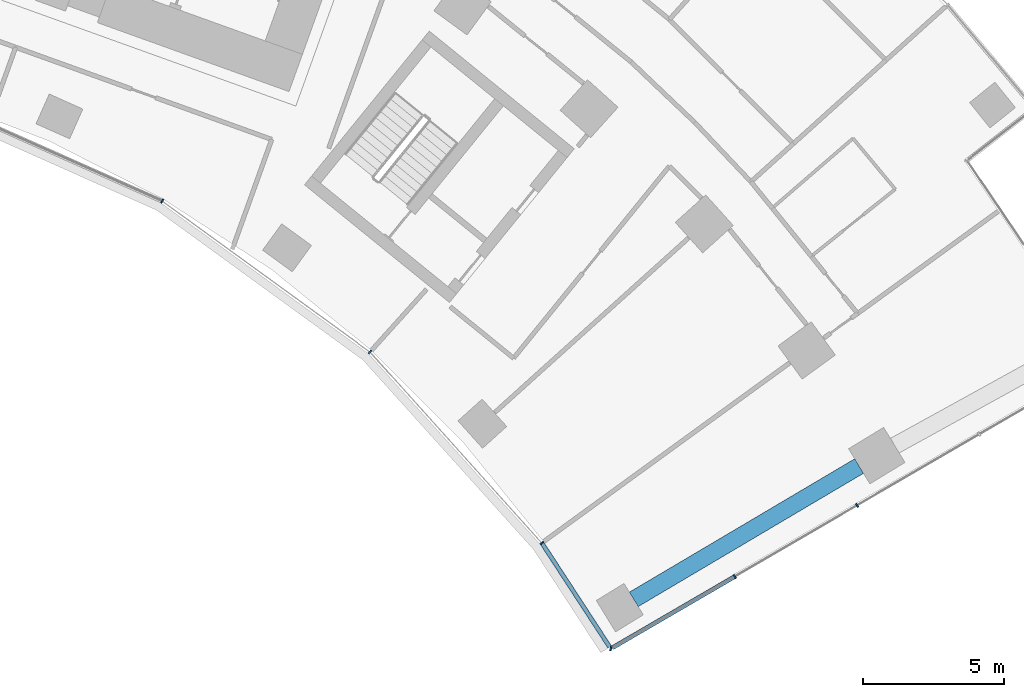
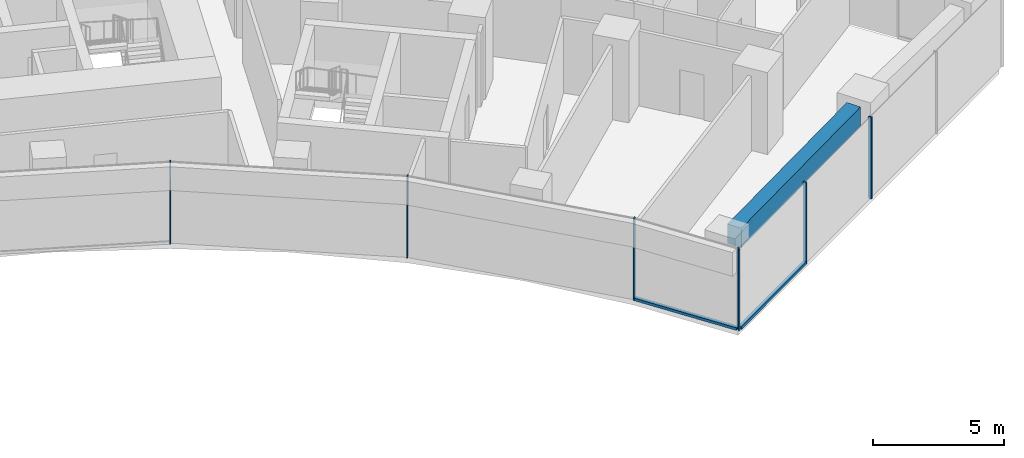
# One storey, part 7 of 20: 8 members, 1 beam, 2 elements without a shape of their own.
"""IFC4 building model written with IfcOpenShell, lengths in metres."""

from ifc_helpers import new_model, si_unit, direction, frame, origin, origin_2d, place, context, subcontext, project, spatial, rectangle, extrude, material, layer, layer_set, material_profile, profile_set, type_object, element, aggregate, save


model = new_model("IFC4")

# Units and contexts
model_context = context("Model", 3, precision=1e-05, world=origin(), true_north=direction((0.0, 1.0)))
body_context = subcontext(model_context, "Body", "Model", "MODEL_VIEW")
ifc_project = project(units=[si_unit("LENGTHUNIT", "METRE"), si_unit("AREAUNIT", "SQUARE_METRE"), si_unit("VOLUMEUNIT", "CUBIC_METRE"), si_unit("PLANEANGLEUNIT", "RADIAN"), si_unit("MASSUNIT", "GRAM", prefix="KILO")], contexts=[model_context])

# Site, building, storey
site_placement = place(None, origin())
site = spatial("IfcSite", under=ifc_project, at=site_placement, CompositionType="ELEMENT")
building_placement = place(site_placement, origin())
building = spatial("IfcBuilding", under=site, at=building_placement, Name="Stone Belt Terrace Tower", CompositionType="ELEMENT")
storey_placement = place(building_placement, frame((0.0, 0.0, 102.199951171875)))
storey = spatial("IfcBuildingStorey", under=building, at=storey_placement, Name="L24", CompositionType="ELEMENT", Elevation=102.199951171875)

# Curtain wall, members
ifc_material_1 = material(Name="Aluminium 6063-T6 anodised frame", Category="aluminium")
ifc_layer_1 = layer(ifc_material_1, 0.14990234375)
ifc_layer_set_1 = layer_set([ifc_layer_1], Name="CW-B unitised concave-face curtain wall")
curtain_wall_type_1 = type_object("IfcCurtainWallType", Name="CW-B unitised concave-face curtain wall", PredefinedType="NOTDEFINED", material=ifc_layer_set_1)
curtain_wall_1_placement = place(storey_placement, origin())
curtain_wall_1 = element("IfcCurtainWall", 1, at=curtain_wall_1_placement, inside=storey, type_object=curtain_wall_type_1, Name="CW-B concave face L24", PredefinedType="NOTDEFINED")
ifc_material_profile_1 = material_profile(ifc_material_1, rectangle(XDim=0.14990234375, YDim=0.050048828125, at=origin_2d()), Name="Aluminium 6063-T6 50x150")
ifc_profile_set_1 = profile_set([ifc_material_profile_1], Name="Aluminium 6063-T6 anodised frame")
member_type_1 = type_object("IfcMemberType", Name="CW-B mullion 50 x 150", PredefinedType="MULLION", material=ifc_profile_set_1)
member_1_placement = place(storey_placement, frame((21.71240234375, 37.606689453125, 0.0), z_axis=(0.0, 0.0, 1.0), x_axis=(0.5, 0.866025403784, 0.0)))
member_1 = element("IfcMember", 2, at=member_1_placement, type_object=member_type_1, Name="CW-B mullion 8", PredefinedType="MULLION", context=body_context, shape_type="SweptSolid", body=[
    extrude(rectangle(XDim=0.14990234375, YDim=0.050048828125, at=origin_2d()), origin(), (0.0, 0.0, 1.0), 3.800048828125),
])
member_2_placement = place(storey_placement, frame((29.056640625, 32.270751953125, 0.0), z_axis=(0.0, 0.0, 1.0), x_axis=(0.669130606359, 0.743144825477, 0.0)))
member_2 = element("IfcMember", 3, at=member_2_placement, type_object=member_type_1, Name="CW-B mullion 9", PredefinedType="MULLION", context=body_context, shape_type="SweptSolid", body=[
    extrude(rectangle(XDim=0.14990234375, YDim=0.050048828125, at=origin_2d()), origin(), (0.0, 0.0, 1.0), 3.800048828125),
])
member_3_placement = place(storey_placement, frame((35.132568359375, 25.522705078125, 0.0), z_axis=(0.0, 0.0, 1.0), x_axis=(0.792811047542, 0.609467507662, 0.0)))
member_3 = element("IfcMember", 4, at=member_3_placement, type_object=member_type_1, Name="CW-B mullion 10", PredefinedType="MULLION", context=body_context, shape_type="SweptSolid", body=[
    extrude(rectangle(XDim=0.14990234375, YDim=0.050048828125, at=origin_2d()), origin(), (0.0, 0.0, 1.0), 3.800048828125),
])
ifc_material_profile_2 = material_profile(ifc_material_1, rectangle(XDim=0.14990234375, YDim=0.1201171875, at=origin_2d()), Name="Aluminium 6063-T6 150x120")
ifc_profile_set_2 = profile_set([ifc_material_profile_2], Name="Aluminium 6063-T6 anodised frame")
member_type_2 = type_object("IfcMemberType", Name="CW-B transom 120 x 150", PredefinedType="USERDEFINED", material=ifc_profile_set_2)
member_4_placement = place(storey_placement, frame((35.1494140625, 25.4970703125, 0.06005859375), z_axis=(0.546136356084, -0.83769629375, 0.0), x_axis=(0.83769629375, 0.546136356084, 0.0)))
member_4 = element("IfcMember", 5, at=member_4_placement, type_object=member_type_2, Name="CW-B transom 10.1", ObjectType="TRANSOM", PredefinedType="USERDEFINED", context=body_context, shape_type="SweptSolid", body=[
    extrude(rectangle(XDim=0.14990234375, YDim=0.1201171875, at=origin_2d()), origin(), (0.0, 0.0, 1.0), 4.363525390625),
])
aggregate(curtain_wall_1, [member_1, member_2, member_3, member_4])

ifc_layer_2 = layer(ifc_material_1, 0.14990234375)
ifc_layer_set_2 = layer_set([ifc_layer_2], Name="CW-C stick curtain wall, horn ends and notches")
curtain_wall_type_2 = type_object("IfcCurtainWallType", Name="CW-C stick curtain wall, horn ends and notches", PredefinedType="NOTDEFINED", material=ifc_layer_set_2)
curtain_wall_2_placement = place(storey_placement, origin())
curtain_wall_2 = element("IfcCurtainWall", 6, at=curtain_wall_2_placement, inside=storey, type_object=curtain_wall_type_2, Name="CW-C end face L24", PredefinedType="NOTDEFINED")
ifc_material_profile_3 = material_profile(ifc_material_1, rectangle(XDim=0.14990234375, YDim=0.06005859375, at=origin_2d()), Name="Aluminium 6063-T6 60x150")
ifc_profile_set_3 = profile_set([ifc_material_profile_3], Name="Aluminium 6063-T6 anodised frame")
member_type_3 = type_object("IfcMemberType", Name="CW-C mullion 60 x 150", PredefinedType="MULLION", material=ifc_profile_set_3)
member_5_placement = place(storey_placement, frame((37.570556640625, 21.783447265625, 0.0), z_axis=(0.0, 0.0, 1.0), x_axis=(0.230847440535, 0.972989958426, 0.0)))
member_5 = element("IfcMember", 7, at=member_5_placement, type_object=member_type_3, Name="CW-C mullion 1", PredefinedType="MULLION", context=body_context, shape_type="SweptSolid", body=[
    extrude(rectangle(XDim=0.14990234375, YDim=0.06005859375, at=origin_2d()), origin(), (0.0, 0.0, 1.0), 3.800048828125),
])
member_6_placement = place(storey_placement, frame((41.953369140625, 24.334716796875, 0.0), z_axis=(0.0, 0.0, 1.0), x_axis=(-0.503080901861, 0.864239322284, 0.0)))
member_6 = element("IfcMember", 8, at=member_6_placement, type_object=member_type_3, Name="CW-C mullion 2", PredefinedType="MULLION", context=body_context, shape_type="SweptSolid", body=[
    extrude(rectangle(XDim=0.14990234375, YDim=0.06005859375, at=origin_2d()), origin(), (0.0, 0.0, 1.0), 3.800048828125),
])
member_7_placement = place(storey_placement, frame((46.2744140625, 26.85009765625, 0.0), z_axis=(0.0, 0.0, 1.0), x_axis=(-0.503080901861, 0.864239322284, 0.0)))
member_7 = element("IfcMember", 9, at=member_7_placement, type_object=member_type_3, Name="CW-C mullion 3", PredefinedType="MULLION", context=body_context, shape_type="SweptSolid", body=[
    extrude(rectangle(XDim=0.14990234375, YDim=0.06005859375, at=origin_2d()), origin(), (0.0, 0.0, 1.0), 3.800048828125),
])
ifc_material_profile_4 = material_profile(ifc_material_1, rectangle(XDim=0.14990234375, YDim=0.1201171875, at=origin_2d()), Name="Aluminium 6063-T6 150x120")
ifc_profile_set_4 = profile_set([ifc_material_profile_4], Name="Aluminium 6063-T6 anodised frame")
member_type_4 = type_object("IfcMemberType", Name="CW-C transom 120 x 150", PredefinedType="USERDEFINED", material=ifc_profile_set_4)
member_8_placement = place(storey_placement, frame((37.634033203125, 21.8203125, 0.06005859375), z_axis=(0.864238402529, 0.5030824819, 0.0), x_axis=(-0.5030824819, 0.864238402529, 0.0)))
member_8 = element("IfcMember", 10, at=member_8_placement, type_object=member_type_4, Name="CW-C transom 1.1", ObjectType="TRANSOM", PredefinedType="USERDEFINED", context=body_context, shape_type="SweptSolid", body=[
    extrude(rectangle(XDim=0.14990234375, YDim=0.1201171875, at=origin_2d()), origin(), (0.0, 0.0, 1.0), 4.968017578125),
])
aggregate(curtain_wall_2, [member_5, member_6, member_7, member_8])

# Beam
ifc_material_2 = material(Name="Concrete B60", Category="concrete")
ifc_material_profile_5 = material_profile(ifc_material_2, rectangle(XDim=0.60009765625, YDim=0.89990234375, at=origin_2d()), Name="RC 600x900")
ifc_profile_set_5 = profile_set([ifc_material_profile_5], Name="Concrete B60")
beam_type = type_object("IfcBeamType", Name="Edge beam RC 600x900 B60", PredefinedType="SPANDREL", material=ifc_profile_set_5)
beam_placement = place(storey_placement, frame((38.3828125, 23.52783203125, 3.030029296875), z_axis=(0.860646513691, 0.509202885372, 0.0), x_axis=(-0.509202885372, 0.860646513691, 0.0)))
element("IfcBeam", 11, at=beam_placement, inside=storey, type_object=beam_type, Name="Edge beam L24 B P to Q", PredefinedType="SPANDREL", context=body_context, shape_type="SweptSolid", body=[
    extrude(rectangle(XDim=0.60009765625, YDim=0.89990234375, at=origin_2d()), origin(), (0.0, 0.0, 1.0), 9.255859375),
])

save(model, "model.ifc")
